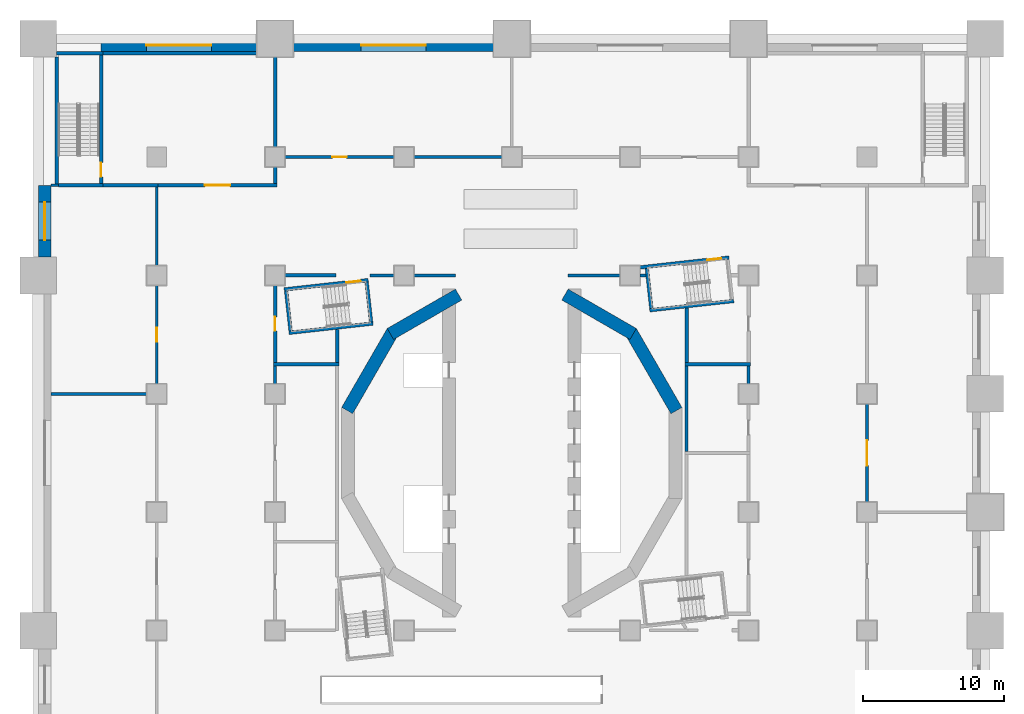
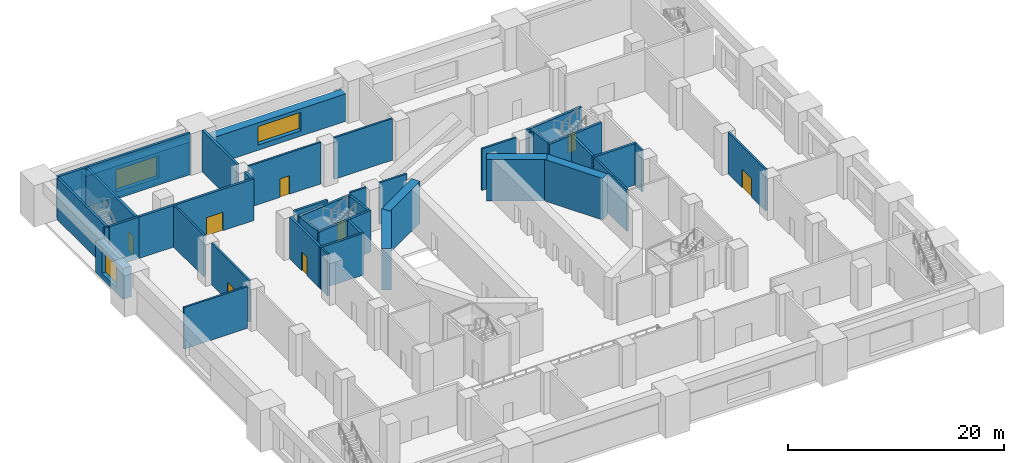
# One storey, part 4 of 19: 43 walls, 8 doors, 3 windows, 11 openings.
"""IFC4 building model written with IfcOpenShell, lengths in metres."""

from ifc_helpers import new_model, si_unit, direction, frame, frame_2d, origin, place, context, subcontext, project, spatial, rectangle, extrude, material, layer, layer_set, type_object, element, fill, save


model = new_model("IFC4")

# Units and contexts
model_context = context("Model", 3, precision=1e-05, world=origin(), true_north=direction((0.0, 1.0)))
body_context = subcontext(model_context, "Body", "Model", "MODEL_VIEW")
ifc_project = project(units=[si_unit("LENGTHUNIT", "METRE"), si_unit("AREAUNIT", "SQUARE_METRE"), si_unit("VOLUMEUNIT", "CUBIC_METRE"), si_unit("PLANEANGLEUNIT", "RADIAN"), si_unit("MASSUNIT", "GRAM", prefix="KILO")], contexts=[model_context])

# Site, building, storey
site_placement = place(None, origin())
site = spatial("IfcSite", under=ifc_project, at=site_placement, CompositionType="ELEMENT")
building_placement = place(site_placement, origin())
building = spatial("IfcBuilding", under=site, at=building_placement, Name="Cantera Rosa Tower", CompositionType="ELEMENT")
storey_placement = place(building_placement, frame((0.0, 0.0, 12.0)))
storey = spatial("IfcBuildingStorey", under=building, at=storey_placement, Name="L01", CompositionType="ELEMENT", Elevation=12.0)

# Walls
ifc_material_1 = material(Name="Masonry blockwork", Category="masonry")
ifc_layer_1 = layer(ifc_material_1, 0.199951171875)
ifc_layer_set_1 = layer_set([ifc_layer_1], Name="Blockwork partition 200")
wall_type_1 = type_object("IfcWallType", Name="Blockwork partition 200", PredefinedType="PARTITIONING", material=ifc_layer_set_1)
wall_1_placement = place(storey_placement, frame((-10.07470703125, 12.60009765625, 0.0), z_axis=(0.0, 0.0, 1.0), x_axis=(1.0, 0.0, 0.0)))
element("IfcWall", 1, at=wall_1_placement, inside=storey, type_object=wall_type_1, Name="Partition L01-12", PredefinedType="PARTITIONING", context=body_context, shape_type="SweptSolid", body=[
    extrude(rectangle(XDim=1.724609375, YDim=0.199951171875, at=frame_2d((0.8623046875, 0.0))), origin(), (0.0, 0.0, 1.0), 4.699951171875),
])
wall_2_placement = place(storey_placement, frame((-6.949951171875, 12.60009765625, 0.0), z_axis=(0.0, 0.0, 1.0), x_axis=(1.0, 0.0, 0.0)))
element("IfcWall", 2, at=wall_2_placement, inside=storey, type_object=wall_type_1, Name="Partition L01-13", PredefinedType="PARTITIONING", context=body_context, shape_type="SweptSolid", body=[
    extrude(rectangle(XDim=2.949951171875, YDim=0.199951171875, at=frame_2d((1.47509765625, 0.0))), origin(), (0.0, 0.0, 1.0), 4.699951171875),
])
wall_3_placement = place(storey_placement, frame((4.0, 12.60009765625, 0.0), z_axis=(0.0, 0.0, 1.0), x_axis=(1.0, 0.0, 0.0)))
element("IfcWall", 3, at=wall_3_placement, inside=storey, type_object=wall_type_1, Name="Partition L01-14", PredefinedType="PARTITIONING", context=body_context, shape_type="SweptSolid", body=[
    extrude(rectangle(XDim=3.699951171875, YDim=0.199951171875, at=frame_2d((1.85009765625, 0.0))), origin(), (0.0, 0.0, 1.0), 4.699951171875),
])
wall_4_placement = place(storey_placement, frame((9.10009765625, 12.60009765625, 0.0), z_axis=(0.0, 0.0, 1.0), x_axis=(1.0, 0.0, 0.0)))
element("IfcWall", 4, at=wall_4_placement, inside=storey, type_object=wall_type_1, Name="Partition L01-15", PredefinedType="PARTITIONING", context=body_context, shape_type="SweptSolid", body=[
    extrude(rectangle(XDim=0.414794921875, YDim=0.199951171875, at=frame_2d((0.20751953125, 0.0))), origin(), (0.0, 0.0, 1.0), 4.699951171875),
])
wall_5_placement = place(storey_placement, frame((12.39990234375, 0.10009765625, 0.0), z_axis=(0.0, 0.0, 1.0), x_axis=(0.0, 1.0, 0.0)))
element("IfcWall", 5, at=wall_5_placement, inside=storey, type_object=wall_type_1, Name="Partition L01-19", PredefinedType="PARTITIONING", context=body_context, shape_type="SweptSolid", body=[
    extrude(rectangle(XDim=6.074951171875, YDim=0.199951171875, at=frame_2d((3.03759765625, 0.0))), origin(), (0.0, 0.0, 1.0), 4.699951171875),
])
for number, where, z_axis, x_axis, name in (
    (6, (16.800048828125, 4.89990234375, 0.0), (0.0, 0.0, 1.0), (0.0, 1.0, 0.0), "Partition L01-27"),
    (7, (-16.800048828125, 4.89990234375, 0.0), (0.0, 0.0, 1.0), (0.0, 1.0, 0.0), "Partition L01-39"),
):
    element("IfcWall", number, at=place(storey_placement, frame(where, z_axis=z_axis, x_axis=x_axis)), inside=storey, type_object=wall_type_1, Name=name, PredefinedType="PARTITIONING", context=body_context, shape_type="SweptSolid", body=[
        extrude(rectangle(XDim=1.275146484375, YDim=0.199951171875, at=frame_2d((0.6376953125, 0.0))), origin(), (0.0, 0.0, 1.0), 4.699951171875),
    ])
wall_6_placement = place(storey_placement, frame((-32.699951171875, 19.0, 0.0), z_axis=(0.0, 0.0, 1.0), x_axis=(1.0, 0.0, 0.0)))
element("IfcWall", 8, at=wall_6_placement, inside=storey, type_object=wall_type_1, Name="Partition L01-53", PredefinedType="PARTITIONING", context=body_context, shape_type="SweptSolid", body=[
    extrude(rectangle(XDim=0.52490234375, YDim=0.199951171875, at=frame_2d((0.262451171875, 0.0))), origin(), (0.0, 0.0, 1.0), 4.699951171875),
])

# Wall, opening, door
wall_7_placement = place(storey_placement, frame((-16.10009765625, 21.0, 0.0), z_axis=(0.0, 0.0, 1.0), x_axis=(1.0, 0.0, 0.0)))
wall_7 = element("IfcWall", 9, at=wall_7_placement, inside=storey, type_object=wall_type_1, Name="Partition L01-76", PredefinedType="PARTITIONING", context=body_context, shape_type="SweptSolid", body=[
    extrude(rectangle(XDim=7.75, YDim=0.199951171875, at=frame_2d((3.875, 0.0))), origin(), (0.0, 0.0, 1.0), 4.699951171875),
])
opening_1_placement = place(wall_7_placement, frame((3.375, 0.0, 0.0)))
opening_1 = element("IfcOpeningElement", 10, at=opening_1_placement, cuts=wall_7, Name="Opening L01-001", PredefinedType="OPENING", context=body_context, shape_type="SweptSolid", body=[
    extrude(rectangle(XDim=1.0, YDim=2.10009765625, at=frame_2d((0.5, 1.050048828125))), frame((0.0, 0.10986328125, 0.0), z_axis=(0.0, -1.0, 0.0), x_axis=(1.0, 0.0, 0.0)), (0.0, 0.0, 1.0), 0.219970703125),
])
ifc_material_2 = material(Name="Timber", Category="wood")
door_type_1 = type_object("IfcDoorType", Name="Door 1000x2100", OperationType="NOTDEFINED", PredefinedType="DOOR", material=ifc_material_2)
door_1_placement = place(opening_1_placement, origin())
door_1 = element("IfcDoor", 11, at=door_1_placement, inside=storey, type_object=door_type_1, Name="Door L01-001", OverallHeight=2.10009765625, OverallWidth=1.0, PredefinedType="DOOR", context=body_context, shape_type="SweptSolid", body=[
    extrude(rectangle(XDim=1.0, YDim=2.10009765625, at=frame_2d((0.5, 1.050048828125))), frame((0.0, 0.02490234375, 0.0), z_axis=(0.0, -1.0, 0.0), x_axis=(1.0, 0.0, 0.0)), (0.0, 0.0, 1.0), 0.050048828125),
])
fill(opening_1, door_1)

# Wall
wall_8_placement = place(storey_placement, frame((-6.949951171875, 21.0, 0.0), z_axis=(0.0, 0.0, 1.0), x_axis=(1.0, 0.0, 0.0)))
element("IfcWall", 12, at=wall_8_placement, inside=storey, type_object=wall_type_1, Name="Partition L01-77", PredefinedType="PARTITIONING", context=body_context, shape_type="SweptSolid", body=[
    extrude(rectangle(XDim=6.25, YDim=0.199951171875, at=frame_2d((3.125, 0.0))), origin(), (0.0, 0.0, 1.0), 4.699951171875),
])

# Wall, opening, door
wall_9_placement = place(storey_placement, frame((25.199951171875, -3.5, 0.0), z_axis=(0.0, 0.0, 1.0), x_axis=(0.0, 1.0, 0.0)))
wall_9 = element("IfcWall", 13, at=wall_9_placement, inside=storey, type_object=wall_type_1, Name="Partition L01-88", PredefinedType="PARTITIONING", context=body_context, shape_type="SweptSolid", body=[
    extrude(rectangle(XDim=7.0, YDim=0.199951171875, at=frame_2d((3.5, 0.0))), origin(), (0.0, 0.0, 1.0), 4.699951171875),
])
opening_2_placement = place(wall_9_placement, frame((2.60009765625, 0.0, 0.0)))
opening_2 = element("IfcOpeningElement", 14, at=opening_2_placement, cuts=wall_9, Name="Opening L01-006", PredefinedType="OPENING", context=body_context, shape_type="SweptSolid", body=[
    extrude(rectangle(XDim=1.800048828125, YDim=2.10009765625, at=frame_2d((0.89990234375, 1.050048828125))), frame((0.0, 0.10986328125, 0.0), z_axis=(0.0, -1.0, 0.0), x_axis=(1.0, 0.0, 0.0)), (0.0, 0.0, 1.0), 0.219970703125),
])
ifc_material_3 = material(Name="Timber", Category="wood")
door_type_2 = type_object("IfcDoorType", Name="Double door 1800x2100", OperationType="NOTDEFINED", PredefinedType="DOOR", material=ifc_material_3)
door_2_placement = place(opening_2_placement, origin())
door_2 = element("IfcDoor", 15, at=door_2_placement, inside=storey, type_object=door_type_2, Name="Door L01-006", OperationType="DOUBLE_DOOR_SINGLE_SWING", OverallHeight=2.10009765625, OverallWidth=1.800048828125, PredefinedType="DOOR", context=body_context, shape_type="SweptSolid", body=[
    extrude(rectangle(XDim=1.800048828125, YDim=2.10009765625, at=frame_2d((0.89990234375, 1.050048828125))), frame((0.0, 0.02490234375, 0.0), z_axis=(0.0, -1.0, 0.0), x_axis=(1.0, 0.0, 0.0)), (0.0, 0.0, 1.0), 0.050048828125),
])
fill(opening_2, door_2)

wall_10_placement = place(storey_placement, frame((-25.199951171875, 4.89990234375, 0.0), z_axis=(0.0, 0.0, 1.0), x_axis=(0.0, 1.0, 0.0)))
wall_10 = element("IfcWall", 16, at=wall_10_placement, inside=storey, type_object=wall_type_1, Name="Partition L01-94", PredefinedType="PARTITIONING", context=body_context, shape_type="SweptSolid", body=[
    extrude(rectangle(XDim=7.0, YDim=0.199951171875, at=frame_2d((3.5, 0.0))), origin(), (0.0, 0.0, 1.0), 4.699951171875),
])
opening_3_placement = place(wall_10_placement, frame((3.0, 0.0, 0.0)))
opening_3 = element("IfcOpeningElement", 17, at=opening_3_placement, cuts=wall_10, Name="Opening L01-008", PredefinedType="OPENING", context=body_context, shape_type="SweptSolid", body=[
    extrude(rectangle(XDim=1.0, YDim=2.10009765625, at=frame_2d((0.5, 1.050048828125))), frame((0.0, 0.10986328125, 0.0), z_axis=(0.0, -1.0, 0.0), x_axis=(1.0, 0.0, 0.0)), (0.0, 0.0, 1.0), 0.219970703125),
])
door_3_placement = place(opening_3_placement, origin())
door_3 = element("IfcDoor", 18, at=door_3_placement, inside=storey, type_object=door_type_1, Name="Door L01-008", OverallHeight=2.10009765625, OverallWidth=1.0, PredefinedType="DOOR", context=body_context, shape_type="SweptSolid", body=[
    extrude(rectangle(XDim=1.0, YDim=2.10009765625, at=frame_2d((0.5, 1.050048828125))), frame((0.0, 0.02490234375, 0.0), z_axis=(0.0, -1.0, 0.0), x_axis=(1.0, 0.0, 0.0)), (0.0, 0.0, 1.0), 0.050048828125),
])
fill(opening_3, door_3)

# Walls
wall_11_placement = place(storey_placement, frame((-25.199951171875, 13.300048828125, 0.0), z_axis=(0.0, 0.0, 1.0), x_axis=(0.0, 1.0, 0.0)))
element("IfcWall", 19, at=wall_11_placement, inside=storey, type_object=wall_type_1, Name="Partition L01-95", PredefinedType="PARTITIONING", context=body_context, shape_type="SweptSolid", body=[
    extrude(rectangle(XDim=5.574951171875, YDim=0.199951171875, at=frame_2d((2.78759765625, 0.0))), origin(), (0.0, 0.0, 1.0), 4.699951171875),
])
wall_12_placement = place(storey_placement, frame((-32.699951171875, 4.199951171875, 0.0), z_axis=(0.0, 0.0, 1.0), x_axis=(1.0, 0.0, 0.0)))
element("IfcWall", 20, at=wall_12_placement, inside=storey, type_object=wall_type_1, Name="Partition L01-96", PredefinedType="PARTITIONING", context=body_context, shape_type="SweptSolid", body=[
    extrude(rectangle(XDim=6.800048828125, YDim=0.199951171875, at=frame_2d((3.39990234375, 0.0))), origin(), (0.0, 0.0, 1.0), 4.699951171875),
])
ifc_material_4 = material(Name="Concrete C70/85", Category="concrete")
ifc_layer_2 = layer(ifc_material_4, 0.89990234375)
ifc_layer_set_2 = layer_set([ifc_layer_2], Name="Drum wall 900")
wall_type_2 = type_object("IfcWallType", Name="Drum wall 900", PredefinedType="SHEAR", material=ifc_layer_set_2)
wall_13_placement = place(storey_placement, frame((-11.684326171875, 3.01025390625, 0.0), z_axis=(0.0, 0.0, 1.0), x_axis=(0.499990282633, 0.866031014036, 0.0)))
element("IfcWall", 21, at=wall_13_placement, inside=storey, type_object=wall_type_2, Name="Drum wall west 4 L01", PredefinedType="SHEAR", context=body_context, shape_type="SweptSolid", body=[
    extrude(rectangle(XDim=6.470458984375, YDim=0.89990234375, at=frame_2d((3.2353515625, 0.0))), origin(), (0.0, 0.0, 1.0), 4.699951171875),
])
for number, where, z_axis, x_axis, name in (
    (22, (-8.61376953125, 8.44921875, 0.0), (0.0, 0.0, 1.0), (0.866026961591, 0.49999730179, 0.0), "Drum wall west 5 L01"),
    (23, (3.77490234375, 11.242919921875, 0.0), (0.0, 0.0, 1.0), (0.866026961591, -0.49999730179, 0.0), "Drum wall east 1 L01"),
):
    element("IfcWall", number, at=place(storey_placement, frame(where, z_axis=z_axis, x_axis=x_axis)), inside=storey, type_object=wall_type_2, Name=name, PredefinedType="SHEAR", context=body_context, shape_type="SweptSolid", body=[
        extrude(rectangle(XDim=5.58740234375, YDim=0.89990234375, at=frame_2d((2.793701171875, 0.0))), origin(), (0.0, 0.0, 1.0), 4.699951171875),
    ])
wall_14_placement = place(storey_placement, frame((8.44921875, 8.61376953125, 0.0), z_axis=(0.0, 0.0, 1.0), x_axis=(0.499990282633, -0.866031014036, 0.0)))
element("IfcWall", 24, at=wall_14_placement, inside=storey, type_object=wall_type_2, Name="Drum wall east 2 L01", PredefinedType="SHEAR", context=body_context, shape_type="SweptSolid", body=[
    extrude(rectangle(XDim=6.470458984375, YDim=0.89990234375, at=frame_2d((3.2353515625, 0.0))), origin(), (0.0, 0.0, 1.0), 4.699951171875),
])
ifc_material_5 = material(Name="Concrete C50/60", Category="concrete")
ifc_layer_3 = layer(ifc_material_5, 0.25)
ifc_layer_set_3 = layer_set([ifc_layer_3], Name="External stair wall 250")
wall_type_3 = type_object("IfcWallType", Name="External stair wall 250", PredefinedType="SOLIDWALL", material=ifc_layer_set_3)
wall_15_placement = place(storey_placement, frame((-32.300048828125, 28.375, 0.0), z_axis=(0.0, 0.0, 1.0), x_axis=(1.0, 0.0, 0.0)))
element("IfcWall", 25, at=wall_15_placement, inside=storey, type_object=wall_type_3, Name="Stair wall L01-47", PredefinedType="SOLIDWALL", context=body_context, shape_type="SweptSolid", body=[
    extrude(rectangle(XDim=3.275146484375, YDim=0.25, at=frame_2d((1.6376953125, 0.0))), origin(), (0.0, 0.0, 1.0), 4.699951171875),
])
ifc_material_6 = material(Name="Masonry blockwork", Category="masonry")
ifc_layer_4 = layer(ifc_material_6, 0.25)
ifc_layer_set_4 = layer_set([ifc_layer_4], Name="Fire-rated external wall 250")
wall_type_4 = type_object("IfcWallType", Name="Fire-rated external wall 250", PredefinedType="PARTITIONING", material=ifc_layer_set_4)
wall_16_placement = place(storey_placement, frame((-29.02490234375, 28.375, 0.0), z_axis=(0.0, 0.0, 1.0), x_axis=(1.0, 0.0, 0.0)))
element("IfcWall", 26, at=wall_16_placement, inside=storey, type_object=wall_type_4, Name="Fire wall L01-48", PredefinedType="PARTITIONING", context=body_context, shape_type="SweptSolid", body=[
    extrude(rectangle(XDim=10.9248046875, YDim=0.25, at=frame_2d((5.46240234375, 0.0))), origin(), (0.0, 0.0, 1.0), 4.699951171875),
])
ifc_material_7 = material(Name="Masonry blockwork", Category="masonry")
ifc_layer_5 = layer(ifc_material_7, 0.25)
ifc_layer_set_5 = layer_set([ifc_layer_5], Name="Fire-rated wall 250")
wall_type_5 = type_object("IfcWallType", Name="Fire-rated wall 250", PredefinedType="PARTITIONING", material=ifc_layer_set_5)
wall_17_placement = place(storey_placement, frame((-12.39990234375, 6.425048828125, 0.0), z_axis=(0.0, 0.0, 1.0), x_axis=(0.0, 1.0, 0.0)))
element("IfcWall", 27, at=wall_17_placement, inside=storey, type_object=wall_type_5, Name="Fire wall L01-10", PredefinedType="PARTITIONING", context=body_context, shape_type="SweptSolid", body=[
    extrude(rectangle(XDim=2.356201171875, YDim=0.25, at=frame_2d((1.17822265625, 0.0))), origin(), (0.0, 0.0, 1.0), 4.699951171875),
])
wall_18_placement = place(storey_placement, frame((-16.10009765625, 12.60009765625, 0.0), z_axis=(0.0, 0.0, 1.0), x_axis=(1.0, 0.0, 0.0)))
element("IfcWall", 28, at=wall_18_placement, inside=storey, type_object=wall_type_5, Name="Fire wall L01-11", PredefinedType="PARTITIONING", context=body_context, shape_type="SweptSolid", body=[
    extrude(rectangle(XDim=3.610595703125, YDim=0.25, at=frame_2d((1.80517578125, 0.0))), origin(), (0.0, 0.0, 1.0), 4.699951171875),
])
for number, where, z_axis, x_axis, name in (
    (29, (-16.925048828125, 6.300048828125, 0.0), (0.0, 0.0, 1.0), (1.0, 0.0, 0.0), "Fire wall L01-32"),
    (30, (12.27490234375, 6.300048828125, 0.0), (0.0, 0.0, 1.0), (1.0, 0.0, 0.0), "Fire wall L01-33"),
):
    element("IfcWall", number, at=place(storey_placement, frame(where, z_axis=z_axis, x_axis=x_axis)), inside=storey, type_object=wall_type_5, Name=name, PredefinedType="PARTITIONING", context=body_context, shape_type="SweptSolid", body=[
        extrude(rectangle(XDim=4.650146484375, YDim=0.25, at=frame_2d((2.3251953125, 0.0))), origin(), (0.0, 0.0, 1.0), 4.699951171875),
    ])

# Wall, opening, door
wall_19_placement = place(storey_placement, frame((-16.800048828125, 6.425048828125, 0.0), z_axis=(0.0, 0.0, 1.0), x_axis=(0.0, 1.0, 0.0)))
wall_19 = element("IfcWall", 31, at=wall_19_placement, inside=storey, type_object=wall_type_5, Name="Fire wall L01-40", PredefinedType="PARTITIONING", context=body_context, shape_type="SweptSolid", body=[
    extrude(rectangle(XDim=5.474853515625, YDim=0.25, at=frame_2d((2.7373046875, 0.0))), origin(), (0.0, 0.0, 1.0), 4.699951171875),
])
opening_4_placement = place(wall_19_placement, frame((2.237548828125, 0.0, 0.0)))
opening_4 = element("IfcOpeningElement", 32, at=opening_4_placement, cuts=wall_19, Name="Opening L01-014", PredefinedType="OPENING", context=body_context, shape_type="SweptSolid", body=[
    extrude(rectangle(XDim=1.0, YDim=2.10009765625, at=frame_2d((0.5, 1.050048828125))), frame((0.0, 0.135009765625, 0.0), z_axis=(0.0, -1.0, 0.0), x_axis=(1.0, 0.0, 0.0)), (0.0, 0.0, 1.0), 0.27001953125),
])
ifc_material_8 = material(Name="Steel S355J2 (EN 10025-2)", Category="steel")
door_type_3 = type_object("IfcDoorType", Name="Fire door 1000x2100 EI 120", OperationType="NOTDEFINED", PredefinedType="DOOR", material=ifc_material_8)
door_4_placement = place(opening_4_placement, origin())
door_4 = element("IfcDoor", 33, at=door_4_placement, inside=storey, type_object=door_type_3, Name="Door L01-014", OverallHeight=2.10009765625, OverallWidth=1.0, PredefinedType="DOOR", context=body_context, shape_type="SweptSolid", body=[
    extrude(rectangle(XDim=1.0, YDim=2.10009765625, at=frame_2d((0.5, 1.050048828125))), frame((0.0, 0.02490234375, 0.0), z_axis=(0.0, -1.0, 0.0), x_axis=(1.0, 0.0, 0.0)), (0.0, 0.0, 1.0), 0.050048828125),
])
fill(opening_4, door_4)

# Walls
wall_20_placement = place(storey_placement, frame((-16.800048828125, 19.125, 0.0), z_axis=(0.0, 0.0, 1.0), x_axis=(0.0, 1.0, 0.0)))
element("IfcWall", 34, at=wall_20_placement, inside=storey, type_object=wall_type_5, Name="Fire wall L01-41", PredefinedType="PARTITIONING", context=body_context, shape_type="SweptSolid", body=[
    extrude(rectangle(XDim=1.175048828125, YDim=0.25, at=frame_2d((0.58740234375, 0.0))), origin(), (0.0, 0.0, 1.0), 4.699951171875),
])
wall_21_placement = place(storey_placement, frame((-16.800048828125, 21.699951171875, 0.0), z_axis=(0.0, 0.0, 1.0), x_axis=(0.0, 1.0, 0.0)))
element("IfcWall", 35, at=wall_21_placement, inside=storey, type_object=wall_type_5, Name="Fire wall L01-42", PredefinedType="PARTITIONING", context=body_context, shape_type="SweptSolid", body=[
    extrude(rectangle(XDim=6.400146484375, YDim=0.25, at=frame_2d((3.2001953125, 0.0))), origin(), (0.0, 0.0, 1.0), 4.699951171875),
])
wall_22_placement = place(storey_placement, frame((-29.02490234375, 19.0, 0.0), z_axis=(0.0, 0.0, 1.0), x_axis=(1.0, 0.0, 0.0)))
element("IfcWall", 36, at=wall_22_placement, inside=storey, type_object=wall_type_5, Name="Fire wall L01-55", PredefinedType="PARTITIONING", context=body_context, shape_type="SweptSolid", body=[
    extrude(rectangle(XDim=3.9248046875, YDim=0.25, at=frame_2d((1.96240234375, 0.0))), origin(), (0.0, 0.0, 1.0), 4.699951171875),
])

# Wall, opening, door
wall_23_placement = place(storey_placement, frame((-25.10009765625, 19.0, 0.0), z_axis=(0.0, 0.0, 1.0), x_axis=(1.0, 0.0, 0.0)))
wall_23 = element("IfcWall", 37, at=wall_23_placement, inside=storey, type_object=wall_type_5, Name="Fire wall L01-56", PredefinedType="PARTITIONING", context=body_context, shape_type="SweptSolid", body=[
    extrude(rectangle(XDim=8.425048828125, YDim=0.25, at=frame_2d((4.21240234375, 0.0))), origin(), (0.0, 0.0, 1.0), 4.699951171875),
])
opening_5_placement = place(wall_23_placement, frame((3.3125, 0.0, 0.0)))
opening_5 = element("IfcOpeningElement", 38, at=opening_5_placement, cuts=wall_23, Name="Opening L01-017", PredefinedType="OPENING", context=body_context, shape_type="SweptSolid", body=[
    extrude(rectangle(XDim=1.800048828125, YDim=2.10009765625, at=frame_2d((0.89990234375, 1.050048828125))), frame((0.0, 0.135009765625, 0.0), z_axis=(0.0, -1.0, 0.0), x_axis=(1.0, 0.0, 0.0)), (0.0, 0.0, 1.0), 0.27001953125),
])
ifc_material_9 = material(Name="Steel S355J2 (EN 10025-2)", Category="steel")
door_type_4 = type_object("IfcDoorType", Name="Fire double door 1800x2100", OperationType="NOTDEFINED", PredefinedType="DOOR", material=ifc_material_9)
door_5_placement = place(opening_5_placement, origin())
door_5 = element("IfcDoor", 39, at=door_5_placement, inside=storey, type_object=door_type_4, Name="Door L01-017", OperationType="DOUBLE_DOOR_SINGLE_SWING", OverallHeight=2.10009765625, OverallWidth=1.800048828125, PredefinedType="DOOR", context=body_context, shape_type="SweptSolid", body=[
    extrude(rectangle(XDim=1.800048828125, YDim=2.10009765625, at=frame_2d((0.89990234375, 1.050048828125))), frame((0.0, 0.02490234375, 0.0), z_axis=(0.0, -1.0, 0.0), x_axis=(1.0, 0.0, 0.0)), (0.0, 0.0, 1.0), 0.050048828125),
])
fill(opening_5, door_5)

# Walls
ifc_material_10 = material(Name="Concrete C50/60", Category="concrete")
ifc_layer_6 = layer(ifc_material_10, 0.25)
ifc_layer_set_6 = layer_set([ifc_layer_6], Name="RC stair wall 250 C50/60")
wall_type_6 = type_object("IfcWallType", Name="RC stair wall 250", PredefinedType="SOLIDWALL", material=ifc_layer_set_6)
wall_24_placement = place(storey_placement, frame((12.39990234375, 6.425048828125, 0.0), z_axis=(0.0, 0.0, 1.0), x_axis=(0.0, 1.0, 0.0)))
element("IfcWall", 40, at=wall_24_placement, inside=storey, type_object=wall_type_6, Name="Fire wall L01-20", PredefinedType="PARTITIONING", context=body_context, shape_type="SweptSolid", body=[
    extrude(rectangle(XDim=3.867431640625, YDim=0.25, at=frame_2d((1.93359375, 0.0))), origin(), (0.0, 0.0, 1.0), 4.699951171875),
])
wall_25_placement = place(storey_placement, frame((-32.175048828125, 19.0, 0.0), z_axis=(0.0, 0.0, 1.0), x_axis=(1.0, 0.0, 0.0)))
element("IfcWall", 41, at=wall_25_placement, inside=storey, type_object=wall_type_6, Name="Stair wall L01-54", PredefinedType="SOLIDWALL", context=body_context, shape_type="SweptSolid", body=[
    extrude(rectangle(XDim=3.150146484375, YDim=0.25, at=frame_2d((1.5751953125, 0.0))), origin(), (0.0, 0.0, 1.0), 4.699951171875),
])

# Wall, opening, door
wall_26_placement = place(storey_placement, frame((-29.14990234375, 19.125, 0.0), z_axis=(0.0, 0.0, 1.0), x_axis=(0.0, 1.0, 0.0)))
wall_26 = element("IfcWall", 42, at=wall_26_placement, inside=storey, type_object=wall_type_6, Name="Stair wall L01-61", PredefinedType="SOLIDWALL", context=body_context, shape_type="SweptSolid", body=[
    extrude(rectangle(XDim=9.25, YDim=0.25, at=frame_2d((4.625, 0.0))), origin(), (0.0, 0.0, 1.0), 4.699951171875),
])
opening_6_placement = place(wall_26_placement, frame((0.47509765625, 0.0, 0.0)))
opening_6 = element("IfcOpeningElement", 43, at=opening_6_placement, cuts=wall_26, Name="Opening L01-018", PredefinedType="OPENING", context=body_context, shape_type="SweptSolid", body=[
    extrude(rectangle(XDim=1.0, YDim=2.10009765625, at=frame_2d((0.5, 1.050048828125))), frame((0.0, 0.135009765625, 0.0), z_axis=(0.0, -1.0, 0.0), x_axis=(1.0, 0.0, 0.0)), (0.0, 0.0, 1.0), 0.27001953125),
])
door_6_placement = place(opening_6_placement, origin())
door_6 = element("IfcDoor", 44, at=door_6_placement, inside=storey, type_object=door_type_3, Name="Door L01-018", OverallHeight=2.10009765625, OverallWidth=1.0, PredefinedType="DOOR", context=body_context, shape_type="SweptSolid", body=[
    extrude(rectangle(XDim=1.0, YDim=2.10009765625, at=frame_2d((0.5, 1.050048828125))), frame((0.0, 0.02490234375, 0.0), z_axis=(0.0, -1.0, 0.0), x_axis=(1.0, 0.0, 0.0)), (0.0, 0.0, 1.0), 0.050048828125),
])
fill(opening_6, door_6)

# Walls
wall_27_placement = place(storey_placement, frame((-32.300048828125, 19.10009765625, 0.0), z_axis=(0.0, 0.0, 1.0), x_axis=(0.0, 1.0, 0.0)))
element("IfcWall", 45, at=wall_27_placement, inside=storey, type_object=wall_type_6, Name="Stair wall L01-63", PredefinedType="SOLIDWALL", context=body_context, shape_type="SweptSolid", body=[
    extrude(rectangle(XDim=9.0, YDim=0.25, at=frame_2d((4.5, 0.0))), origin(), (0.0, 0.0, 1.0), 4.699951171875),
])
wall_28_placement = place(storey_placement, frame((15.752685546875, 10.790283203125, 0.0), z_axis=(0.0, 0.0, 1.0), x_axis=(-0.993897125329, -0.110310943534, 0.0)))
element("IfcWall", 46, at=wall_28_placement, inside=storey, type_object=wall_type_6, Name="Stair wall ST-11 L01-2", PredefinedType="SOLIDWALL", context=body_context, shape_type="SweptSolid", body=[
    extrude(rectangle(XDim=6.0, YDim=0.25, at=frame_2d((3.0, 0.0))), origin(), (0.0, 0.0, 1.0), 4.699951171875),
])
wall_29_placement = place(storey_placement, frame((9.899658203125, 10.2666015625, 0.0), z_axis=(0.0, 0.0, 1.0), x_axis=(-0.110252878147, 0.99390356819, 0.0)))
element("IfcWall", 47, at=wall_29_placement, inside=storey, type_object=wall_type_6, Name="Stair wall ST-11 L01-3", PredefinedType="SOLIDWALL", context=body_context, shape_type="SweptSolid", body=[
    extrude(rectangle(XDim=2.849853515625, YDim=0.25, at=frame_2d((1.4248046875, 0.0))), origin(), (0.0, 0.0, 1.0), 4.699951171875),
])

# Wall, opening, door
wall_30_placement = place(storey_placement, frame((9.1123046875, 13.17236328125, 0.0), z_axis=(0.0, 0.0, 1.0), x_axis=(0.993894066567, 0.110338499366, 0.0)))
wall_30 = element("IfcWall", 48, at=wall_30_placement, inside=storey, type_object=wall_type_6, Name="Stair wall ST-11 L01-4", PredefinedType="SOLIDWALL", context=body_context, shape_type="SweptSolid", body=[
    extrude(rectangle(XDim=6.3369140625, YDim=0.25, at=frame_2d((3.16845703125, 0.0))), origin(), (0.0, 0.0, 1.0), 4.699951171875),
])
opening_7_placement = place(wall_30_placement, frame((4.786865234375, 0.0, 0.0)))
opening_7 = element("IfcOpeningElement", 49, at=opening_7_placement, cuts=wall_30, Name="Opening L01-ST-11", PredefinedType="OPENING", context=body_context, shape_type="SweptSolid", body=[
    extrude(rectangle(XDim=1.0, YDim=2.10009765625, at=frame_2d((0.5, 1.050048828125))), frame((0.0, 0.135009765625, 0.0), z_axis=(0.0, -1.0, 0.0), x_axis=(1.0, 0.0, 0.0)), (0.0, 0.0, 1.0), 0.27001953125),
])
door_7_placement = place(opening_7_placement, origin())
door_7 = element("IfcDoor", 50, at=door_7_placement, inside=storey, type_object=door_type_3, Name="Door L01-ST-11", OverallHeight=2.10009765625, OverallWidth=1.0, PredefinedType="DOOR", context=body_context, shape_type="SweptSolid", body=[
    extrude(rectangle(XDim=1.0, YDim=2.10009765625, at=frame_2d((0.5, 1.050048828125))), frame((0.0, 0.02490234375, 0.0), z_axis=(0.0, -1.0, 0.0), x_axis=(1.0, 0.0, 0.0)), (0.0, 0.0, 1.0), 0.050048828125),
])
fill(opening_7, door_7)

# Walls
wall_31_placement = place(storey_placement, frame((-10.2998046875, 12.133544921875, 0.0), z_axis=(0.0, 0.0, 1.0), x_axis=(0.110328108544, -0.993895220063, 0.0)))
element("IfcWall", 51, at=wall_31_placement, inside=storey, type_object=wall_type_6, Name="Stair wall ST-12 L01-1", PredefinedType="SOLIDWALL", context=body_context, shape_type="SweptSolid", body=[
    extrude(rectangle(XDim=2.85009765625, YDim=0.25, at=frame_2d((1.425048828125, 0.0))), origin(), (0.0, 0.0, 1.0), 4.699951171875),
])
wall_32_placement = place(storey_placement, frame((-9.847412109375, 9.1904296875, 0.0), z_axis=(0.0, 0.0, 1.0), x_axis=(-0.993897125329, -0.110310943534, 0.0)))
element("IfcWall", 52, at=wall_32_placement, inside=storey, type_object=wall_type_6, Name="Stair wall ST-12 L01-2", PredefinedType="SOLIDWALL", context=body_context, shape_type="SweptSolid", body=[
    extrude(rectangle(XDim=6.0, YDim=0.25, at=frame_2d((3.0, 0.0))), origin(), (0.0, 0.0, 1.0), 4.699951171875),
])
wall_33_placement = place(storey_placement, frame((-15.7001953125, 8.66650390625, 0.0), z_axis=(0.0, 0.0, 1.0), x_axis=(-0.110328108544, 0.993895220063, 0.0)))
element("IfcWall", 53, at=wall_33_placement, inside=storey, type_object=wall_type_6, Name="Stair wall ST-12 L01-3", PredefinedType="SOLIDWALL", context=body_context, shape_type="SweptSolid", body=[
    extrude(rectangle(XDim=2.85009765625, YDim=0.25, at=frame_2d((1.425048828125, 0.0))), origin(), (0.0, 0.0, 1.0), 4.699951171875),
])

# Wall, opening, door
wall_34_placement = place(storey_placement, frame((-16.152587890625, 11.609619140625, 0.0), z_axis=(0.0, 0.0, 1.0), x_axis=(0.993897125329, 0.110310943534, 0.0)))
wall_34 = element("IfcWall", 54, at=wall_34_placement, inside=storey, type_object=wall_type_6, Name="Stair wall ST-12 L01-4", PredefinedType="SOLIDWALL", context=body_context, shape_type="SweptSolid", body=[
    extrude(rectangle(XDim=6.0, YDim=0.25, at=frame_2d((3.0, 0.0))), origin(), (0.0, 0.0, 1.0), 4.699951171875),
])
opening_8_placement = place(wall_34_placement, frame((4.449951171875, 0.0, 0.0)))
opening_8 = element("IfcOpeningElement", 55, at=opening_8_placement, cuts=wall_34, Name="Opening L01-ST-12", PredefinedType="OPENING", context=body_context, shape_type="SweptSolid", body=[
    extrude(rectangle(XDim=1.0, YDim=2.10009765625, at=frame_2d((0.5, 1.050048828125))), frame((0.0, 0.135009765625, 0.0), z_axis=(0.0, -1.0, 0.0), x_axis=(1.0, 0.0, 0.0)), (0.0, 0.0, 1.0), 0.27001953125),
])
door_8_placement = place(opening_8_placement, origin())
door_8 = element("IfcDoor", 56, at=door_8_placement, inside=storey, type_object=door_type_3, Name="Door L01-ST-12", OverallHeight=2.10009765625, OverallWidth=1.0, PredefinedType="DOOR", context=body_context, shape_type="SweptSolid", body=[
    extrude(rectangle(XDim=1.0, YDim=2.10009765625, at=frame_2d((0.5, 1.050048828125))), frame((0.0, 0.02490234375, 0.0), z_axis=(0.0, -1.0, 0.0), x_axis=(1.0, 0.0, 0.0)), (0.0, 0.0, 1.0), 0.050048828125),
])
fill(opening_8, door_8)

# Wall, opening, window
ifc_material_11 = material(Name="Concrete C40/50 with limestone facing", Category="masonry")
ifc_layer_7 = layer(ifc_material_11, 0.89990234375)
ifc_layer_set_7 = layer_set([ifc_layer_7], Name="Stone podium wall 900")
wall_type_7 = type_object("IfcWallType", Name="Stone podium wall 900", PredefinedType="SOLIDWALL", material=ifc_layer_set_7)
wall_35_placement = place(storey_placement, frame((-29.14990234375, 28.949951171875, 0.0), z_axis=(0.0, 0.0, 1.0), x_axis=(1.0, 0.0, 0.0)))
wall_35 = element("IfcWall", 57, at=wall_35_placement, inside=storey, type_object=wall_type_7, Name="Stone wall N L01-1", PredefinedType="SOLIDWALL", context=body_context, shape_type="SweptSolid", body=[
    extrude(rectangle(XDim=11.0498046875, YDim=0.89990234375, at=frame_2d((5.52490234375, 0.0))), origin(), (0.0, 0.0, 1.0), 3.5),
])
opening_9_placement = place(wall_35_placement, frame((3.22509765625, 0.0, 0.60009765625)))
opening_9 = element("IfcOpeningElement", 58, at=opening_9_placement, cuts=wall_35, Name="Opening L01-PWN1", PredefinedType="OPENING", context=body_context, shape_type="SweptSolid", body=[
    extrude(rectangle(XDim=4.60009765625, YDim=2.5, at=frame_2d((2.300048828125, 1.25))), frame((0.0, 0.4599609375, 0.0), z_axis=(0.0, -1.0, 0.0), x_axis=(1.0, 0.0, 0.0)), (0.0, 0.0, 1.0), 0.919921875),
])
ifc_material_12 = material(Name="Glass", Category="glass")
window_type_1 = type_object("IfcWindowType", Name="Podium window 4600x2500", PartitioningType="SINGLE_PANEL", PredefinedType="WINDOW", material=ifc_material_12)
window_1_placement = place(opening_9_placement, origin())
window_1 = element("IfcWindow", 59, at=window_1_placement, inside=storey, type_object=window_type_1, Name="Podium window L01-N1", OverallHeight=2.5, OverallWidth=4.60009765625, PartitioningType="SINGLE_PANEL", PredefinedType="WINDOW", context=body_context, shape_type="SweptSolid", body=[
    extrude(rectangle(XDim=4.60009765625, YDim=2.5, at=frame_2d((2.300048828125, 1.25))), frame((0.0, 0.030029296875, 0.0), z_axis=(0.0, -1.0, 0.0), x_axis=(1.0, 0.0, 0.0)), (0.0, 0.0, 1.0), 0.06005859375),
])
fill(opening_9, window_1)

wall_36_placement = place(storey_placement, frame((-33.14990234375, 19.0, 0.0), z_axis=(0.0, 0.0, 1.0), x_axis=(0.0, -1.0, 0.0)))
wall_36 = element("IfcWall", 60, at=wall_36_placement, inside=storey, type_object=wall_type_7, Name="Stone wall W L01-3", PredefinedType="SOLIDWALL", context=body_context, shape_type="SweptSolid", body=[
    extrude(rectangle(XDim=5.10009765625, YDim=0.89990234375, at=frame_2d((2.550048828125, 0.0))), origin(), (0.0, 0.0, 1.0), 3.5),
])
opening_10_placement = place(wall_36_placement, frame((1.199951171875, 0.0, 0.60009765625)))
opening_10 = element("IfcOpeningElement", 61, at=opening_10_placement, cuts=wall_36, Name="Opening L01-PWW3", PredefinedType="OPENING", context=body_context, shape_type="SweptSolid", body=[
    extrude(rectangle(XDim=2.699951171875, YDim=2.5, at=frame_2d((1.35009765625, 1.25))), frame((0.0, 0.4599609375, 0.0), z_axis=(0.0, -1.0, 0.0), x_axis=(1.0, 0.0, 0.0)), (0.0, 0.0, 1.0), 0.919921875),
])
ifc_material_13 = material(Name="Glass", Category="glass")
window_type_2 = type_object("IfcWindowType", Name="Podium window 2700x2500", PartitioningType="SINGLE_PANEL", PredefinedType="WINDOW", material=ifc_material_13)
window_2_placement = place(opening_10_placement, origin())
window_2 = element("IfcWindow", 62, at=window_2_placement, inside=storey, type_object=window_type_2, Name="Podium window L01-W3", OverallHeight=2.5, OverallWidth=2.699951171875, PartitioningType="SINGLE_PANEL", PredefinedType="WINDOW", context=body_context, shape_type="SweptSolid", body=[
    extrude(rectangle(XDim=2.699951171875, YDim=2.5, at=frame_2d((1.35009765625, 1.25))), frame((0.0, 0.030029296875, 0.0), z_axis=(0.0, -1.0, 0.0), x_axis=(1.0, 0.0, 0.0)), (0.0, 0.0, 1.0), 0.06005859375),
])
fill(opening_10, window_2)

ifc_material_14 = material(Name="Concrete C40/50 with limestone facing", Category="masonry")
ifc_layer_8 = layer(ifc_material_14, 0.89990234375)
ifc_layer_set_8 = layer_set([ifc_layer_8], Name="Stone podium wall 900 under deep girder")
wall_type_8 = type_object("IfcWallType", Name="Stone podium wall 900 under deep girder", PredefinedType="SOLIDWALL", material=ifc_layer_set_8)
wall_37_placement = place(storey_placement, frame((-15.5, 28.949951171875, 0.0), z_axis=(0.0, 0.0, 1.0), x_axis=(1.0, 0.0, 0.0)))
wall_37 = element("IfcWall", 63, at=wall_37_placement, inside=storey, type_object=wall_type_8, Name="Stone wall N L01-2", PredefinedType="SOLIDWALL", context=body_context, shape_type="SweptSolid", body=[
    extrude(rectangle(XDim=14.199951171875, YDim=0.89990234375, at=frame_2d((7.10009765625, 0.0))), origin(), (0.0, 0.0, 1.0), 3.10009765625),
])
opening_11_placement = place(wall_37_placement, frame((4.800048828125, 0.0, 0.60009765625)))
opening_11 = element("IfcOpeningElement", 64, at=opening_11_placement, cuts=wall_37, Name="Opening L01-PWN2", PredefinedType="OPENING", context=body_context, shape_type="SweptSolid", body=[
    extrude(rectangle(XDim=4.60009765625, YDim=2.10009765625, at=frame_2d((2.300048828125, 1.050048828125))), frame((0.0, 0.4599609375, 0.0), z_axis=(0.0, -1.0, 0.0), x_axis=(1.0, 0.0, 0.0)), (0.0, 0.0, 1.0), 0.919921875),
])
ifc_material_15 = material(Name="Glass", Category="glass")
window_type_3 = type_object("IfcWindowType", Name="Podium window 4600x2100", PartitioningType="SINGLE_PANEL", PredefinedType="WINDOW", material=ifc_material_15)
window_3_placement = place(opening_11_placement, origin())
window_3 = element("IfcWindow", 65, at=window_3_placement, inside=storey, type_object=window_type_3, Name="Podium window L01-N2", OverallHeight=2.10009765625, OverallWidth=4.60009765625, PartitioningType="SINGLE_PANEL", PredefinedType="WINDOW", context=body_context, shape_type="SweptSolid", body=[
    extrude(rectangle(XDim=4.60009765625, YDim=2.10009765625, at=frame_2d((2.300048828125, 1.050048828125))), frame((0.0, 0.030029296875, 0.0), z_axis=(0.0, -1.0, 0.0), x_axis=(1.0, 0.0, 0.0)), (0.0, 0.0, 1.0), 0.06005859375),
])
fill(opening_11, window_3)

save(model, "model.ifc")
